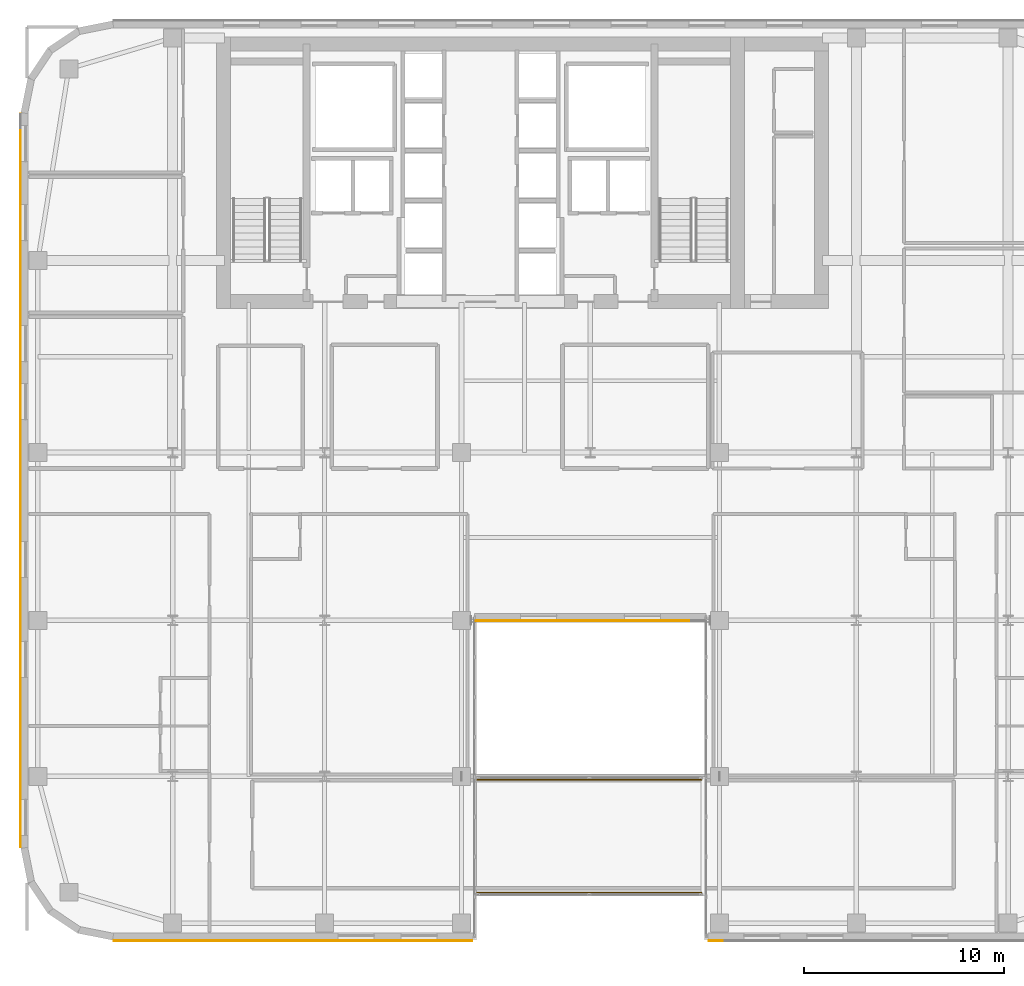
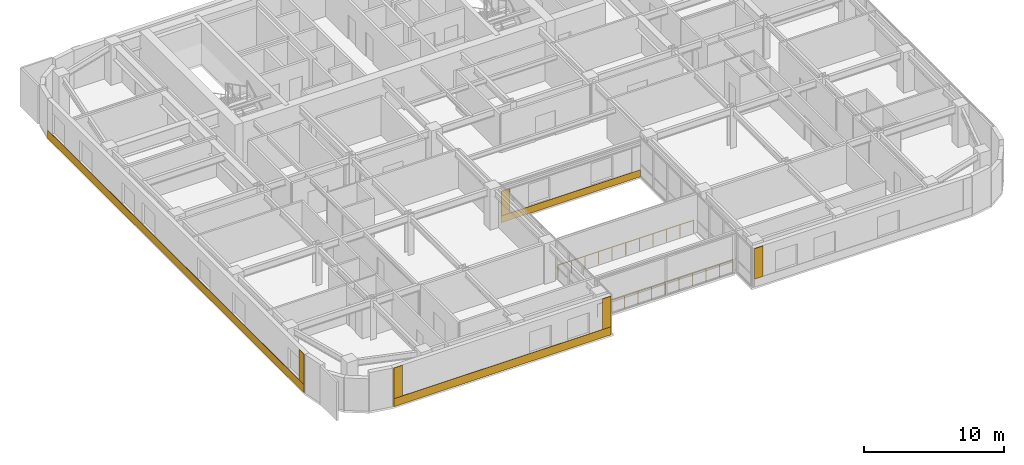
# One storey, part 27 of 31: 8 coverings, 2 railings.
"""IFC4 building model written with IfcOpenShell, lengths in metres."""

import ifcopenshell
import ifcopenshell.guid

model = None  # the IFC model being written
_history = None  # IfcOwnerHistory: only IFC2X3 demands one
_inside = {}  # id of a spatial element -> (the spatial element, [elements in it])
_under = {}  # id of a project, library or spatial element -> (it, [spatial elements below it])
_declared = {}  # id of a project -> (the project, [libraries it declares])
_typed = {}  # id of a type object -> (the type object, [elements of that type])
_made_of = {}  # id of a material, layer set ... -> (it, [elements and type objects made of it])


def new_model(schema):
    """Start an empty IFC model of exactly this schema.

    Asked for "IFC4X3", IfcOpenShell would pick the latest addendum, in which some entities
    have other attributes; the version numbers below select the first issue.
    IFC2X3 requires an IfcOwnerHistory on every rooted entity: one is made here for all.
    """
    global model, _history
    if schema == "IFC4X3":
        model = ifcopenshell.file(schema_version=(4, 3, 0, 0))
    else:
        model = ifcopenshell.file(schema=schema)
    _inside.clear()
    _under.clear()
    _declared.clear()
    _typed.clear()
    _made_of.clear()
    _history = None
    if model.schema == "IFC2X3":
        org = make("IfcOrganization", Name="unknown")
        user = make(
            "IfcPersonAndOrganization",
            ThePerson=make("IfcPerson", FamilyName="unknown"),
            TheOrganization=org,
        )
        app = make(
            "IfcApplication",
            ApplicationDeveloper=org,
            Version="unknown",
            ApplicationFullName="unknown",
            ApplicationIdentifier="unknown",
        )
        _history = make(
            "IfcOwnerHistory",
            OwningUser=user,
            OwningApplication=app,
            ChangeAction="ADDED",
            CreationDate=0,
        )
    return model


def make(cls, **values):
    """One entity of the class cls with the attributes given. An attribute that is None is left unset."""
    return model.create_entity(
        cls, **{name: value for name, value in values.items() if value is not None}
    )


def rooted(cls, **values):
    """An entity with a GlobalId (a new one), such as an element, a storey or a relation."""
    return make(cls, GlobalId=ifcopenshell.guid.new(), OwnerHistory=_history, **values)


def si_unit(unit_type, name, prefix=None):
    """IfcSIUnit, for example si_unit("LENGTHUNIT", "METRE", prefix="MILLI")."""
    return make("IfcSIUnit", UnitType=unit_type, Prefix=prefix, Name=name)


def assignment(units):
    """IfcUnitAssignment: the units of a project."""
    return None if units is None else make("IfcUnitAssignment", Units=units)


def point(xyz):
    """IfcCartesianPoint."""
    return None if xyz is None else make("IfcCartesianPoint", Coordinates=xyz)


def direction(xyz):
    """IfcDirection."""
    return None if xyz is None else make("IfcDirection", DirectionRatios=xyz)


def frame(location, z_axis=None, x_axis=None):
    """IfcAxis2Placement3D, a coordinate frame: its origin and axes. An axis left out is left unset."""
    return make(
        "IfcAxis2Placement3D",
        Location=point(location),
        Axis=direction(z_axis),
        RefDirection=direction(x_axis),
    )


def frame_2d(location, x_axis=None):
    """IfcAxis2Placement2D, a coordinate frame in the plane: its origin and x axis."""
    return make(
        "IfcAxis2Placement2D", Location=point(location), RefDirection=direction(x_axis)
    )


def origin():
    """The frame at (0, 0, 0) with its axes left unset."""
    return frame((0.0, 0.0, 0.0))


def origin_2d():
    """The frame at (0, 0) in the plane with its x axis left unset."""
    return frame_2d((0.0, 0.0))


def place(relative_to, where):
    """IfcLocalPlacement: puts the frame where relative to a parent placement (None: the world)."""
    return make(
        "IfcLocalPlacement", PlacementRelTo=relative_to, RelativePlacement=where
    )


def context(
    kind, dimensions, precision=None, world=None, true_north=None, identifier=None
):
    """IfcGeometricRepresentationContext, for example the 3D "Model" context."""
    return make(
        "IfcGeometricRepresentationContext",
        ContextIdentifier=identifier,
        ContextType=kind,
        CoordinateSpaceDimension=dimensions,
        Precision=precision,
        WorldCoordinateSystem=world,
        TrueNorth=true_north,
    )


def subcontext(parent, identifier, kind, view, scale=None):
    """IfcGeometricRepresentationSubContext, for example "Body" below "Model"."""
    return make(
        "IfcGeometricRepresentationSubContext",
        ContextIdentifier=identifier,
        ContextType=kind,
        ParentContext=parent,
        TargetScale=scale,
        TargetView=view,
    )


def project(units=None, contexts=None):
    """IfcProject with its units and contexts."""
    return rooted(
        "IfcProject",
        Name="project",
        RepresentationContexts=contexts,
        UnitsInContext=assignment(units),
    )


def spatial(cls, under=None, at=None, **own):
    """A site, building, storey or space (cls), placed at a placement, below another one or the project."""
    s = rooted(cls, ObjectPlacement=at, **own)
    if under is not None:
        _under.setdefault(under.id(), (under, []))[1].append(s)
    return s


def polyline(points):
    """IfcPolyline through the points."""
    return make("IfcPolyline", Points=[point(p) for p in points])


def profile(cls, at=None, kind="AREA", **sizes):
    """A parametric profile (cls). Its sizes go by their IFC names, for example OverallWidth=200.0."""
    return make(cls, ProfileType=kind, Position=at, **sizes)


def circle(**sizes):
    """IfcCircleProfileDef."""
    return profile("IfcCircleProfileDef", **sizes)


def outline(outer, holes=None, kind="AREA"):
    """IfcArbitraryClosedProfileDef: a profile drawn as a closed curve; with holes, ...WithVoids."""
    if holes is None:
        return make("IfcArbitraryClosedProfileDef", ProfileType=kind, OuterCurve=outer)
    return make(
        "IfcArbitraryProfileDefWithVoids",
        ProfileType=kind,
        OuterCurve=outer,
        InnerCurves=holes,
    )


def extrude(swept, where, along, depth):
    """IfcExtrudedAreaSolid: the profile swept, set in the frame where, extruded along a direction by depth."""
    return make(
        "IfcExtrudedAreaSolid",
        SweptArea=swept,
        Position=where,
        ExtrudedDirection=direction(along),
        Depth=depth,
    )


def shape(context_of_items, identifier, shape_type, items):
    """IfcShapeRepresentation: the items that make up one representation, for example the "Body"."""
    return make(
        "IfcShapeRepresentation",
        ContextOfItems=context_of_items,
        RepresentationIdentifier=identifier,
        RepresentationType=shape_type,
        Items=items,
    )


def material(Name=None, Category=None):
    """IfcMaterial."""
    return make("IfcMaterial", Name=Name, Category=Category)


def layer(
    of_material, thickness, ventilated=None, Name=None, Category=None, Priority=None
):
    """IfcMaterialLayer: one layer of a wall or slab, of a material (None: an air gap)."""
    return make(
        "IfcMaterialLayer",
        Material=of_material,
        LayerThickness=thickness,
        IsVentilated=ventilated,
        Name=Name,
        Category=Category,
        Priority=Priority,
    )


def layer_set(layers, Name=None):
    """IfcMaterialLayerSet."""
    return make("IfcMaterialLayerSet", MaterialLayers=layers, LayerSetName=Name)


def made_of(thing, what):
    """Note that an element or type object is made of a material, layer set ...; save() writes the relation."""
    if what is not None:
        _made_of.setdefault(what.id(), (what, []))[1].append(thing)
    return thing


def type_object(cls, material=None, **own):
    """A type object (cls), such as IfcWallType, which elements share."""
    return made_of(rooted(cls, **own), material)


def element(
    cls,
    number,
    at=None,
    inside=None,
    cuts=None,
    type_object=None,
    material=None,
    context=None,
    identifier="Body",
    shape_type=None,
    held_by="IfcProductDefinitionShape",
    body=None,
    shapes=None,
    **own,
):
    """One element of the class cls, such as IfcWall. Its Tag is "e" and its number.

    at: its placement. inside: the storey or other place that contains it. cuts: it is an
    opening in that element (IfcRelVoidsElement). A single representation is given by context,
    identifier, shape_type and body (its items); several are given by shapes. held_by: the class
    of the entity that holds the representations. save() writes the other relations.
    """
    e = rooted(cls, Tag="e%d" % number, ObjectPlacement=at, **own)
    if body is not None:
        shapes = [shape(context, identifier, shape_type, body)]
    if shapes is not None:
        e.Representation = make(held_by, Representations=shapes)
    if inside is not None:
        _inside.setdefault(inside.id(), (inside, []))[1].append(e)
    if cuts is not None:
        rooted(
            "IfcRelVoidsElement", RelatingBuildingElement=cuts, RelatedOpeningElement=e
        )
    if type_object is not None:
        _typed.setdefault(type_object.id(), (type_object, []))[1].append(e)
    return made_of(e, material)


def aggregate(whole, parts):
    """IfcRelAggregates: a whole, such as a stair, and the parts it consists of."""
    return rooted("IfcRelAggregates", RelatingObject=whole, RelatedObjects=parts)


def save(model, path):
    """Write the relations noted so far, then the file.

    IfcRelAggregates (storeys below a building ...), IfcRelContainedInSpatialStructure (elements
    in a storey), IfcRelDefinesByType, IfcRelAssociatesMaterial and IfcRelDeclares: one each for
    every whole, place, type object, material and project.
    """
    for whole, parts in _under.values():
        aggregate(whole, parts)
    for where, things in _inside.values():
        rooted(
            "IfcRelContainedInSpatialStructure",
            RelatedElements=things,
            RelatingStructure=where,
        )
    for kind, things in _typed.values():
        rooted("IfcRelDefinesByType", RelatedObjects=things, RelatingType=kind)
    for what, things in _made_of.values():
        rooted("IfcRelAssociatesMaterial", RelatedObjects=things, RelatingMaterial=what)
    for by, libraries in _declared.values():
        rooted("IfcRelDeclares", RelatingContext=by, RelatedDefinitions=libraries)
    model.write(path)


model = new_model("IFC4")

# Units and contexts
model_context = context("Model", 3, precision=1e-05, world=origin(), true_north=direction((0.0, 1.0)))
body_context = subcontext(model_context, "Body", "Model", "MODEL_VIEW")
ifc_project = project(units=[si_unit("LENGTHUNIT", "METRE"), si_unit("AREAUNIT", "SQUARE_METRE"), si_unit("VOLUMEUNIT", "CUBIC_METRE"), si_unit("PLANEANGLEUNIT", "RADIAN"), si_unit("MASSUNIT", "GRAM", prefix="KILO")], contexts=[model_context])

# Site, building, storey
site_placement = place(None, origin())
site = spatial("IfcSite", under=ifc_project, at=site_placement, CompositionType="ELEMENT")
building_placement = place(site_placement, origin())
building = spatial("IfcBuilding", under=site, at=building_placement, Name="Tolvann Quenvar Hotel", CompositionType="ELEMENT")
storey_placement = place(building_placement, frame((0.0, 0.0, 125.75)))
storey = spatial("IfcBuildingStorey", under=building, at=storey_placement, Name="L32", CompositionType="ELEMENT", Elevation=125.75)

# Coverings
ifc_material_1 = material(Name="Kiln-fired red architectural face brick cladding", Category="masonry")
ifc_layer_1 = layer(ifc_material_1, 0.0400390625)
ifc_layer_set_1 = layer_set([ifc_layer_1], Name="Kiln-fired red architectural face brick cladding")
covering_type_1 = type_object("IfcCoveringType", Name="COV_CLAD_BRICK_40", PredefinedType="CLADDING", material=ifc_layer_set_1)
covering_1_placement = place(storey_placement, frame((0.0, 0.0, 0.699951171875)))
element("IfcCovering", 1, at=covering_1_placement, inside=storey, type_object=covering_type_1, Name="Brick Pier Cladding (L32-E04-P1)", PredefinedType="CLADDING", context=body_context, shape_type="SweptSolid", body=[
    extrude(outline(polyline([(4.667236328125, 0.0), (5.3671875, 0.0), (5.3671875, -0.0400390625), (4.667236328125, -0.0400390625), (4.667236328125, 0.0)])), origin(), (0.0, 0.0, 1.0), 2.670166015625),
])
covering_2_placement = place(storey_placement, frame((0.0, 0.0, 0.699951171875)))
element("IfcCovering", 2, at=covering_2_placement, inside=storey, type_object=covering_type_1, Name="Brick Pier Cladding (L32-E04-P2)", PredefinedType="CLADDING", context=body_context, shape_type="SweptSolid", body=[
    extrude(outline(polyline([(21.875, 0.0), (22.574951171875, 0.0), (22.574951171875, -0.0400390625), (21.875, -0.0400390625), (21.875, 0.0)])), origin(), (0.0, 0.0, 1.0), 2.670166015625),
])
covering_3_placement = place(storey_placement, frame((0.0, 0.0, 0.6044921875)))
element("IfcCovering", 3, at=covering_3_placement, inside=storey, type_object=covering_type_1, Name="Brick Pier Cladding (L32-E06-P1)", PredefinedType="CLADDING", context=body_context, shape_type="SweptSolid", body=[
    extrude(outline(polyline([(22.760009765625, 16.0), (23.4599609375, 16.0), (23.4599609375, 15.9599609375), (22.760009765625, 15.9599609375), (22.760009765625, 16.0)])), origin(), (0.0, 0.0, 1.0), 2.1435546875),
])
covering_4_placement = place(storey_placement, frame((0.0, 0.0, 0.699951171875)))
element("IfcCovering", 4, at=covering_4_placement, inside=storey, type_object=covering_type_1, Name="Brick Pier Cladding (L32-E08-P1)", PredefinedType="CLADDING", context=body_context, shape_type="SweptSolid", body=[
    extrude(outline(polyline([(34.425048828125, 0.0), (35.125, 0.0), (35.125, -0.0400390625), (34.425048828125, -0.0400390625), (34.425048828125, 0.0)])), origin(), (0.0, 0.0, 1.0), 2.670166015625),
])
covering_5_placement = place(storey_placement, frame((0.0, 0.0, 0.699951171875)))
element("IfcCovering", 5, at=covering_5_placement, inside=storey, type_object=covering_type_1, Name="Brick Pier Cladding (L32-E23-P2)", PredefinedType="CLADDING", context=body_context, shape_type="SweptSolid", body=[
    extrude(outline(polyline([(0.0, 5.3671875), (0.0, 4.667236328125), (-0.0400390625, 4.667236328125), (-0.0400390625, 5.3671875), (0.0, 5.3671875)])), origin(), (0.0, 0.0, 1.0), 2.670166015625),
])
ifc_material_2 = material(Name="Moulded buff architectural terracotta spandrel cladding", Category="masonry")
ifc_layer_2 = layer(ifc_material_2, 0.0400390625)
ifc_layer_set_2 = layer_set([ifc_layer_2], Name="Moulded buff architectural terracotta spandrel cladding")
covering_type_2 = type_object("IfcCoveringType", Name="COV_CLAD_TERRA_40", PredefinedType="CLADDING", material=ifc_layer_set_2)
covering_6_placement = place(storey_placement, origin())
element("IfcCovering", 6, at=covering_6_placement, inside=storey, type_object=covering_type_2, Name="Terracotta Spandrel Cladding (L32-E04)", PredefinedType="CLADDING", context=body_context, shape_type="SweptSolid", body=[
    extrude(outline(polyline([(4.6572265625, 0.0), (22.5849609375, 0.0), (22.5849609375, -0.0400390625), (4.6572265625, -0.0400390625), (4.6572265625, 0.0)])), origin(), (0.0, 0.0, 1.0), 0.699951171875),
])
covering_7_placement = place(storey_placement, origin())
element("IfcCovering", 7, at=covering_7_placement, inside=storey, type_object=covering_type_2, Name="Terracotta Spandrel Cladding (L32-E06)", PredefinedType="CLADDING", context=body_context, shape_type="SweptSolid", body=[
    extrude(outline(polyline([(22.75, 16.0), (34.25, 16.0), (34.25, 15.9599609375), (22.75, 15.9599609375), (22.75, 16.0)])), origin(), (0.0, 0.0, 1.0), 0.6044921875),
])
covering_8_placement = place(storey_placement, origin())
element("IfcCovering", 8, at=covering_8_placement, inside=storey, type_object=covering_type_2, Name="Terracotta Spandrel Cladding (L32-E23)", PredefinedType="CLADDING", context=body_context, shape_type="SweptSolid", body=[
    extrude(outline(polyline([(0.0, 41.3427734375), (0.0, 4.6572265625), (-0.0400390625, 4.6572265625), (-0.0400390625, 41.3427734375), (0.0, 41.3427734375)])), origin(), (0.0, 0.0, 1.0), 0.699951171875),
])

# Railings
ifc_material_3 = material(Name="Brushed 316 marine-grade stainless steel balustrade and laminated safety glass", Category="steel")
railing_type = type_object("IfcRailingType", Name="RAIL_BAL_1100", PredefinedType="BALUSTRADE", material=ifc_material_3)
for number, where, name in (
    (9, (22.840087890625, 2.3798828125, 0.0), "Safety Balustrade BAL-BRG-L32-S"),
    (10, (22.840087890625, 8.02001953125, 0.0), "Safety Balustrade BAL-BRG-L32-N"),
):
    element("IfcRailing", number, at=place(storey_placement, frame(where)), inside=storey, type_object=railing_type, Name=name, PredefinedType="BALUSTRADE", context=body_context, shape_type="SweptSolid", body=[
        extrude(circle(Radius=0.02490234375, at=origin_2d()), frame((0.0, 0.0, 1.09521484375), z_axis=(1.0, 0.0, 0.0), x_axis=(0.0, 1.0, 0.0)), (0.0, 0.0, 1.0), 11.199951171875),
        extrude(circle(Radius=0.02197265625, at=origin_2d()), origin(), (0.0, 0.0, 1.0), 1.070068359375),
        extrude(circle(Radius=0.02197265625, at=origin_2d()), frame((1.1201171875, 0.0, 0.0)), (0.0, 0.0, 1.0), 1.070068359375),
        extrude(circle(Radius=0.02197265625, at=origin_2d()), frame((2.239990234375, 0.0, 0.0)), (0.0, 0.0, 1.0), 1.070068359375),
        extrude(circle(Radius=0.02197265625, at=origin_2d()), frame((3.35986328125, 0.0, 0.0)), (0.0, 0.0, 1.0), 1.070068359375),
        extrude(circle(Radius=0.02197265625, at=origin_2d()), frame((4.47998046875, 0.0, 0.0)), (0.0, 0.0, 1.0), 1.070068359375),
        extrude(circle(Radius=0.02197265625, at=origin_2d()), frame((5.60009765625, 0.0, 0.0)), (0.0, 0.0, 1.0), 1.070068359375),
        extrude(circle(Radius=0.02197265625, at=origin_2d()), frame((6.719970703125, 0.0, 0.0)), (0.0, 0.0, 1.0), 1.070068359375),
        extrude(circle(Radius=0.02197265625, at=origin_2d()), frame((7.83984375, 0.0, 0.0)), (0.0, 0.0, 1.0), 1.070068359375),
        extrude(circle(Radius=0.02197265625, at=origin_2d()), frame((8.9599609375, 0.0, 0.0)), (0.0, 0.0, 1.0), 1.070068359375),
        extrude(circle(Radius=0.02197265625, at=origin_2d()), frame((10.080078125, 0.0, 0.0)), (0.0, 0.0, 1.0), 1.070068359375),
        extrude(circle(Radius=0.02197265625, at=origin_2d()), frame((11.199951171875, 0.0, 0.0)), (0.0, 0.0, 1.0), 1.070068359375),
    ])

save(model, "model.ifc")
